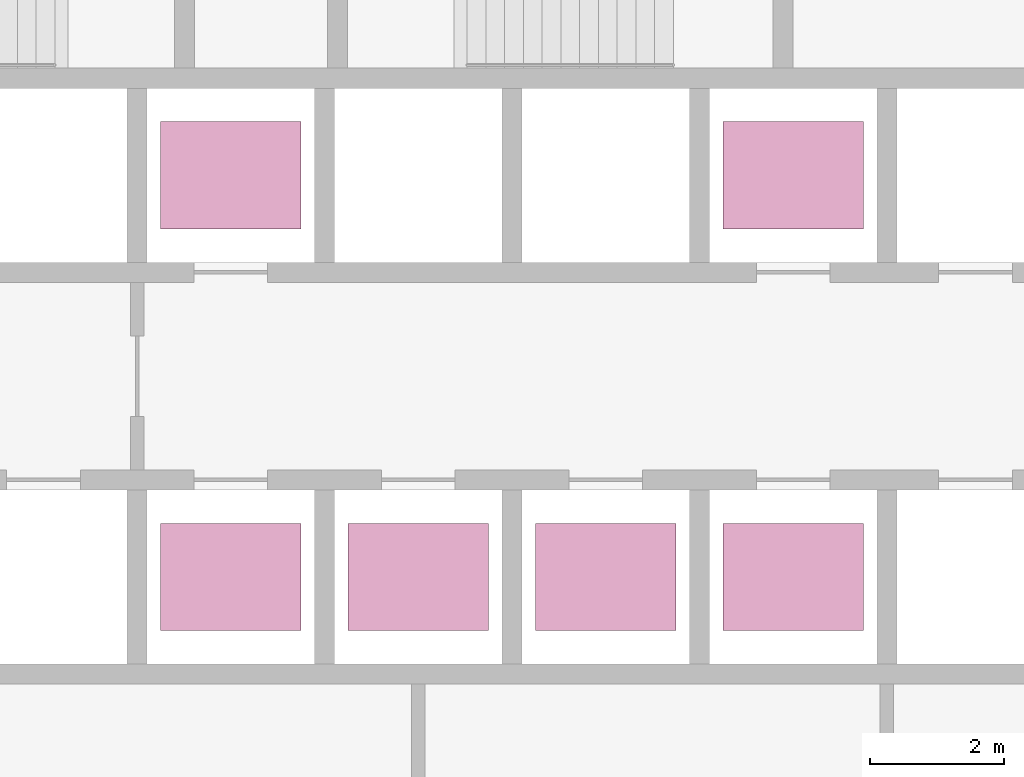
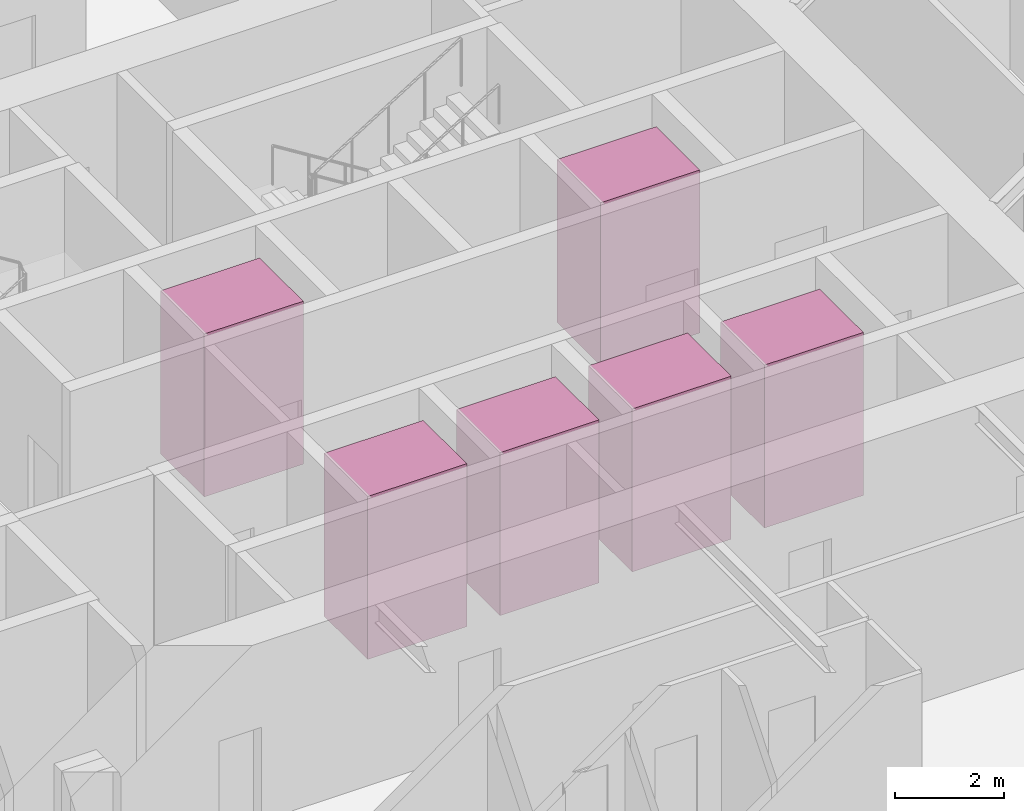
# One storey, part 26 of 26: 6 transport elements.
"""IFC4 building model written with IfcOpenShell, lengths in metres."""

from ifc_helpers import new_model, si_unit, direction, frame, origin, origin_2d, place, context, subcontext, project, spatial, rectangle, extrude, material, type_object, element, save


model = new_model("IFC4")

# Units and contexts
model_context = context("Model", 3, precision=1e-05, world=origin(), true_north=direction((0.0, 1.0)))
body_context = subcontext(model_context, "Body", "Model", "MODEL_VIEW")
ifc_project = project(units=[si_unit("LENGTHUNIT", "METRE"), si_unit("AREAUNIT", "SQUARE_METRE"), si_unit("VOLUMEUNIT", "CUBIC_METRE"), si_unit("PLANEANGLEUNIT", "RADIAN"), si_unit("MASSUNIT", "GRAM", prefix="KILO")], contexts=[model_context])

# Site, building, storey
site_placement = place(None, origin())
site = spatial("IfcSite", under=ifc_project, at=site_placement, CompositionType="ELEMENT")
building_placement = place(site_placement, origin())
building = spatial("IfcBuilding", under=site, at=building_placement, Name="Firuza Gate Tower and Library", CompositionType="ELEMENT")
storey_placement = place(building_placement, frame((0.0, 0.0, 65.199951171875)))
storey = spatial("IfcBuildingStorey", under=building, at=storey_placement, Name="L14", CompositionType="ELEMENT", Elevation=65.199951171875)

# Transport elements
ifc_material = material(Name="Stainless steel and glass", Category="steel")
transport_element_type = type_object("IfcTransportElementType", Name="Low-rise lift car 2100x1600", PredefinedType="ELEVATOR", material=ifc_material)
for number, where, z_axis, x_axis, name in (
    (1, (74.64990234375, 70.300048828125, 0.0), (0.0, 0.0, 1.0), (1.0, 0.0, 0.0), "Low-rise lift LR1"),
    (2, (77.449951171875, 70.300048828125, 0.0), (0.0, 0.0, 1.0), (1.0, 0.0, 0.0), "Low-rise lift LR2"),
    (3, (80.25, 70.300048828125, 0.0), (0.0, 0.0, 1.0), (1.0, 0.0, 0.0), "Low-rise lift LR3"),
    (4, (74.64990234375, 76.300048828125, 0.0), (0.0, 0.0, 1.0), (1.0, 0.0, 0.0), "Low-rise lift LR4"),
    (5, (83.050048828125, 70.300048828125, 0.0), (0.0, 0.0, 1.0), (1.0, 0.0, 0.0), "Low-rise lift LR5"),
    (6, (83.050048828125, 76.300048828125, 0.0), (0.0, 0.0, 1.0), (1.0, 0.0, 0.0), "Low-rise lift LR6"),
):
    element("IfcTransportElement", number, at=place(storey_placement, frame(where, z_axis=z_axis, x_axis=x_axis)), inside=storey, type_object=transport_element_type, Name=name, PredefinedType="ELEVATOR", context=body_context, shape_type="SweptSolid", body=[
        extrude(rectangle(XDim=2.10009765625, YDim=1.60009765625, at=origin_2d()), origin(), (0.0, 0.0, 1.0), 3.64990234375),
    ])

save(model, "model.ifc")
